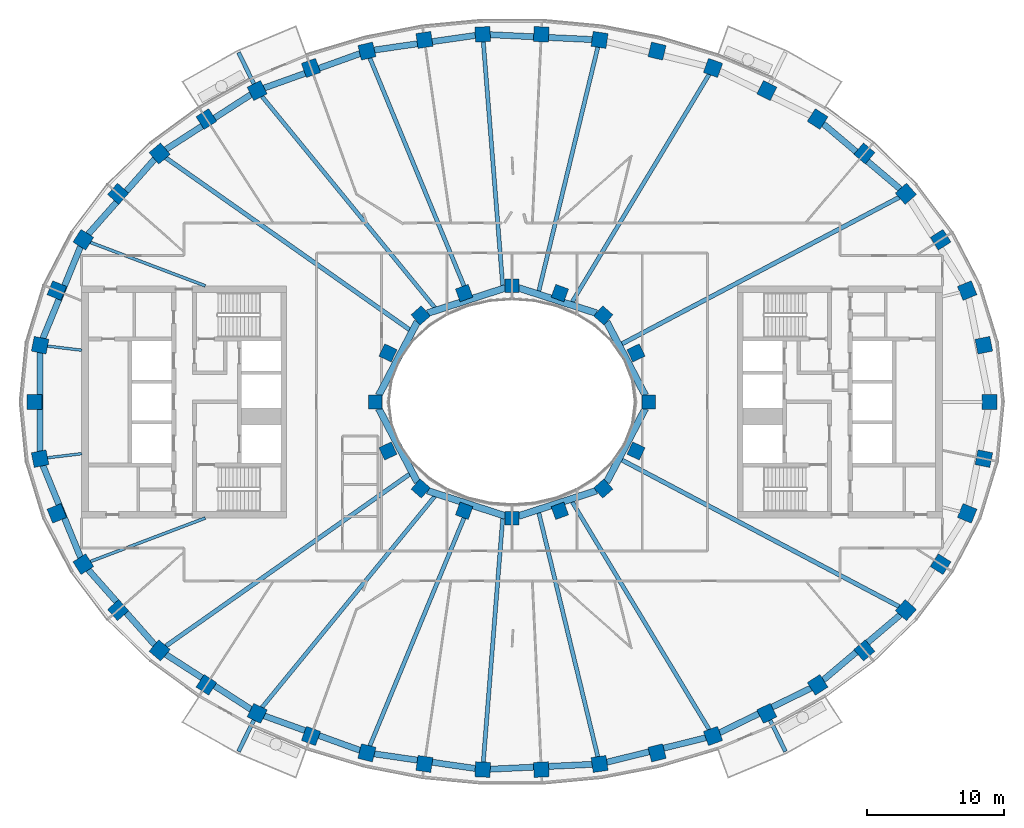
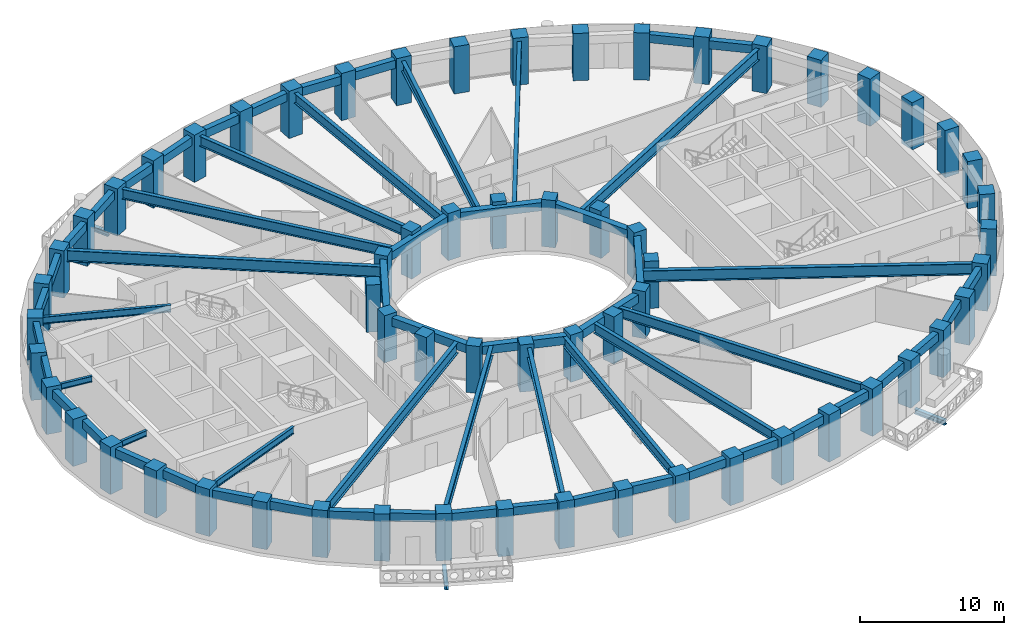
# One storey, part 1 of 15: 62 columns, 46 beams.
"""IFC4 building model written with IfcOpenShell, lengths in metres."""

from ifc_helpers import new_model, si_unit, direction, frame, origin, origin_2d, place, context, subcontext, project, spatial, rectangle, i_section, extrude, material, material_profile, profile_set, type_object, element, save


model = new_model("IFC4")

# Units and contexts
model_context = context("Model", 3, precision=1e-05, world=origin(), true_north=direction((0.0, 1.0)))
body_context = subcontext(model_context, "Body", "Model", "MODEL_VIEW")
ifc_project = project(units=[si_unit("LENGTHUNIT", "METRE"), si_unit("AREAUNIT", "SQUARE_METRE"), si_unit("VOLUMEUNIT", "CUBIC_METRE"), si_unit("PLANEANGLEUNIT", "RADIAN"), si_unit("MASSUNIT", "GRAM", prefix="KILO")], contexts=[model_context])

# Site, building, storey
site_placement = place(None, origin())
site = spatial("IfcSite", under=ifc_project, at=site_placement, CompositionType="ELEMENT")
building_placement = place(site_placement, origin())
building = spatial("IfcBuilding", under=site, at=building_placement, Name="Noorbagh Ring Tower", CompositionType="ELEMENT")
storey_placement = place(building_placement, frame((0.0, 0.0, 241.5)))
storey = spatial("IfcBuildingStorey", under=building, at=storey_placement, Name="L50", CompositionType="ELEMENT", Elevation=241.5)

# Columns
ifc_material_1 = material(Name="Concrete C60/75", Category="concrete")
ifc_material_profile_1 = material_profile(ifc_material_1, rectangle(XDim=1.10009765625, YDim=1.10009765625, at=origin_2d()), Name="RC1100x1100")
ifc_profile_set_1 = profile_set([ifc_material_profile_1], Name="Concrete C60/75")
column_type_1 = type_object("IfcColumnType", Name="STR-COL-RC1100x1100-C60-75", PredefinedType="COLUMN", material=ifc_profile_set_1)
for number, where, z_axis, x_axis, name in (
    (1, (34.944580078125, 0.0, 0.0), (0.0, 0.0, 1.0), (0.0, 1.0, 0.0), "L50/col/R1-01"),
    (2, (34.52685546875, 4.150634765625, 0.0), (0.0, 0.0, 1.0), (-0.19723040178, 0.9803571638, 0.0), "L50/col/R1-02"),
    (3, (33.30517578125, 8.1494140625, 0.0), (0.0, 0.0, 1.0), (-0.378989499959, 0.925400971969, 0.0), "L50/col/R1-03"),
    (4, (31.364990234375, 11.87109375, 0.0), (0.0, 0.0, 1.0), (-0.535190403059, 0.844731455833, 0.0), "L50/col/R1-04"),
    (5, (28.81884765625, 15.23046875, 0.0), (0.0, 0.0, 1.0), (-0.662635642662, 0.748941923699, 0.0), "L50/col/R1-05"),
    (6, (25.78271484375, 18.180419921875, 0.0), (0.0, 0.0, 1.0), (-0.763035199656, 0.646356932419, 0.0), "L50/col/R1-06"),
    (7, (22.362060546875, 20.699951171875, 0.0), (0.0, 0.0, 1.0), (-0.840247639643, 0.542202825586, 0.0), "L50/col/R1-07"),
    (8, (18.646240234375, 22.785400390625, 0.0), (0.0, 0.0, 1.0), (-0.898399080868, 0.439180021741, 0.0), "L50/col/R1-08"),
    (9, (14.70947265625, 24.44091796875, 0.0), (0.0, 0.0, 1.0), (-0.941024726094, 0.338337797003, 0.0), "L50/col/R1-09"),
    (10, (10.61328125, 25.673583984375, 0.0), (0.0, 0.0, 1.0), (-0.970829360981, 0.239771457553, 0.0), "L50/col/R1-10"),
    (11, (6.4091796875, 26.49072265625, 0.0), (0.0, 0.0, 1.0), (-0.989713114048, 0.143066249975, 0.0), "L50/col/R1-11"),
    (12, (2.14306640625, 26.89794921875, 0.0), (0.0, 0.0, 1.0), (-0.998868731212, 0.047552684538, 0.0), "L50/col/R1-12"),
    (13, (-2.14306640625, 26.89794921875, 0.0), (0.0, 0.0, 1.0), (-0.998868731212, -0.047552684538, 0.0), "L50/col/R1-13"),
    (14, (-6.4091796875, 26.49072265625, 0.0), (0.0, 0.0, 1.0), (-0.989713114048, -0.143066249975, 0.0), "L50/col/R1-14"),
    (15, (-10.61328125, 25.673583984375, 0.0), (0.0, 0.0, 1.0), (-0.970829360981, -0.239771457553, 0.0), "L50/col/R1-15"),
    (16, (-14.70947265625, 24.44091796875, 0.0), (0.0, 0.0, 1.0), (-0.941024726094, -0.338337797003, 0.0), "L50/col/R1-16"),
    (17, (-18.646240234375, 22.785400390625, 0.0), (0.0, 0.0, 1.0), (-0.898399080868, -0.439180021741, 0.0), "L50/col/R1-17"),
    (18, (-22.362060546875, 20.699951171875, 0.0), (0.0, 0.0, 1.0), (-0.840247639643, -0.542202825586, 0.0), "L50/col/R1-18"),
    (19, (-25.78271484375, 18.180419921875, 0.0), (0.0, 0.0, 1.0), (-0.763035199656, -0.646356932419, 0.0), "L50/col/R1-19"),
    (20, (-28.81884765625, 15.23046875, 0.0), (0.0, 0.0, 1.0), (-0.662635642662, -0.748941923699, 0.0), "L50/col/R1-20"),
    (21, (-31.364990234375, 11.87109375, 0.0), (0.0, 0.0, 1.0), (-0.535190403059, -0.844731455833, 0.0), "L50/col/R1-21"),
    (22, (-33.30517578125, 8.1494140625, 0.0), (0.0, 0.0, 1.0), (-0.378989499959, -0.925400971969, 0.0), "L50/col/R1-22"),
    (23, (-34.52685546875, 4.150634765625, 0.0), (0.0, 0.0, 1.0), (-0.19723040178, -0.9803571638, 0.0), "L50/col/R1-23"),
    (24, (-34.944580078125, 0.0, 0.0), (0.0, 0.0, 1.0), (0.0, -1.0, 0.0), "L50/col/R1-24"),
    (25, (-34.52685546875, -4.150634765625, 0.0), (0.0, 0.0, 1.0), (0.19723040178, -0.9803571638, 0.0), "L50/col/R1-25"),
    (26, (-33.30517578125, -8.1494140625, 0.0), (0.0, 0.0, 1.0), (0.378989499959, -0.925400971969, 0.0), "L50/col/R1-26"),
    (27, (-31.364990234375, -11.87109375, 0.0), (0.0, 0.0, 1.0), (0.535190403059, -0.844731455833, 0.0), "L50/col/R1-27"),
    (28, (-28.81884765625, -15.23046875, 0.0), (0.0, 0.0, 1.0), (0.662635642662, -0.748941923699, 0.0), "L50/col/R1-28"),
    (29, (-25.78271484375, -18.180419921875, 0.0), (0.0, 0.0, 1.0), (0.763035199656, -0.646356932419, 0.0), "L50/col/R1-29"),
    (30, (-22.362060546875, -20.699951171875, 0.0), (0.0, 0.0, 1.0), (0.840247639643, -0.542202825586, 0.0), "L50/col/R1-30"),
    (31, (-18.646240234375, -22.785400390625, 0.0), (0.0, 0.0, 1.0), (0.898399080868, -0.439180021741, 0.0), "L50/col/R1-31"),
    (32, (-14.70947265625, -24.44091796875, 0.0), (0.0, 0.0, 1.0), (0.941024726094, -0.338337797003, 0.0), "L50/col/R1-32"),
    (33, (-10.61328125, -25.673583984375, 0.0), (0.0, 0.0, 1.0), (0.970829360981, -0.239771457553, 0.0), "L50/col/R1-33"),
    (34, (-6.4091796875, -26.49072265625, 0.0), (0.0, 0.0, 1.0), (0.989713114048, -0.143066249975, 0.0), "L50/col/R1-34"),
    (35, (-2.14306640625, -26.89794921875, 0.0), (0.0, 0.0, 1.0), (0.998868731212, -0.047552684538, 0.0), "L50/col/R1-35"),
    (36, (2.14306640625, -26.89794921875, 0.0), (0.0, 0.0, 1.0), (0.998868731212, 0.047552684538, 0.0), "L50/col/R1-36"),
    (37, (6.4091796875, -26.49072265625, 0.0), (0.0, 0.0, 1.0), (0.989713114048, 0.143066249975, 0.0), "L50/col/R1-37"),
    (38, (10.61328125, -25.673583984375, 0.0), (0.0, 0.0, 1.0), (0.970829360981, 0.239771457553, 0.0), "L50/col/R1-38"),
    (39, (14.70947265625, -24.44091796875, 0.0), (0.0, 0.0, 1.0), (0.941024726094, 0.338337797003, 0.0), "L50/col/R1-39"),
    (40, (18.646240234375, -22.785400390625, 0.0), (0.0, 0.0, 1.0), (0.898399080868, 0.439180021741, 0.0), "L50/col/R1-40"),
    (41, (22.362060546875, -20.699951171875, 0.0), (0.0, 0.0, 1.0), (0.840247639643, 0.542202825586, 0.0), "L50/col/R1-41"),
    (42, (25.78271484375, -18.180419921875, 0.0), (0.0, 0.0, 1.0), (0.763035199656, 0.646356932419, 0.0), "L50/col/R1-42"),
    (43, (28.81884765625, -15.23046875, 0.0), (0.0, 0.0, 1.0), (0.662635642662, 0.748941923699, 0.0), "L50/col/R1-43"),
    (44, (31.364990234375, -11.87109375, 0.0), (0.0, 0.0, 1.0), (0.535190403059, 0.844731455833, 0.0), "L50/col/R1-44"),
    (45, (33.30517578125, -8.1494140625, 0.0), (0.0, 0.0, 1.0), (0.378989499959, 0.925400971969, 0.0), "L50/col/R1-45"),
    (46, (34.52685546875, -4.150634765625, 0.0), (0.0, 0.0, 1.0), (0.19723040178, 0.9803571638, 0.0), "L50/col/R1-46"),
):
    element("IfcColumn", number, at=place(storey_placement, frame(where, z_axis=z_axis, x_axis=x_axis)), inside=storey, type_object=column_type_1, Name=name, PredefinedType="COLUMN", context=body_context, shape_type="SweptSolid", body=[
        extrude(rectangle(XDim=1.10009765625, YDim=1.10009765625, at=origin_2d()), origin(), (0.0, 0.0, 1.0), 4.0),
    ])
ifc_material_2 = material(Name="Concrete C60/75", Category="concrete")
ifc_material_profile_2 = material_profile(ifc_material_2, rectangle(XDim=1.0, YDim=1.0, at=origin_2d()), Name="RC1000x1000")
ifc_profile_set_2 = profile_set([ifc_material_profile_2], Name="Concrete C60/75")
column_type_2 = type_object("IfcColumnType", Name="STR-ICOL-RC1000x1000-C60-75", PredefinedType="COLUMN", material=ifc_profile_set_2)
for number, where, z_axis, x_axis, name in (
    (47, (10.00830078125, 0.0, 0.0), (0.0, 0.0, 1.0), (0.0, 1.0, 0.0), "L50/col/IR2-W01"),
    (48, (9.07568359375, 3.58837890625, 0.0), (0.0, 0.0, 1.0), (-0.428666979171, 0.903462573087, 0.0), "L50/col/IR2-W03"),
    (49, (6.68212890625, 6.333740234375, 0.0), (0.0, 0.0, 1.0), (-0.75102249095, 0.660276622399, 0.0), "L50/col/IR2-W05"),
    (50, (3.5009765625, 7.967041015625, 0.0), (0.0, 0.0, 1.0), (-0.939019578916, 0.343863679984, 0.0), "L50/col/IR2-W07"),
    (51, (0.0, 8.5029296875, 0.0), (0.0, 0.0, 1.0), (-1.0, 0.0, 0.0), "L50/col/IR2-W09"),
    (52, (-3.5009765625, 7.967041015625, 0.0), (0.0, 0.0, 1.0), (-0.939019578916, -0.343863679984, 0.0), "L50/col/IR2-W11"),
    (53, (-6.68212890625, 6.333740234375, 0.0), (0.0, 0.0, 1.0), (-0.75102249095, -0.660276622399, 0.0), "L50/col/IR2-W13"),
    (54, (-9.07568359375, 3.58837890625, 0.0), (0.0, 0.0, 1.0), (-0.428666979171, -0.903462573087, 0.0), "L50/col/IR2-W15"),
    (55, (-10.00830078125, 0.0, 0.0), (0.0, 0.0, 1.0), (0.0, -1.0, 0.0), "L50/col/IR2-W17"),
    (56, (-9.07568359375, -3.58837890625, 0.0), (0.0, 0.0, 1.0), (0.428666979171, -0.903462573087, 0.0), "L50/col/IR2-W19"),
    (57, (-6.68212890625, -6.333740234375, 0.0), (0.0, 0.0, 1.0), (0.75102249095, -0.660276622399, 0.0), "L50/col/IR2-W21"),
    (58, (-3.5009765625, -7.967041015625, 0.0), (0.0, 0.0, 1.0), (0.939019578916, -0.343863679984, 0.0), "L50/col/IR2-W23"),
    (59, (0.0, -8.5029296875, 0.0), (0.0, 0.0, 1.0), (1.0, 0.0, 0.0), "L50/col/IR2-W25"),
    (60, (3.5009765625, -7.967041015625, 0.0), (0.0, 0.0, 1.0), (0.939019578916, 0.343863679984, 0.0), "L50/col/IR2-W27"),
    (61, (6.68212890625, -6.333740234375, 0.0), (0.0, 0.0, 1.0), (0.75102249095, 0.660276622399, 0.0), "L50/col/IR2-W29"),
    (62, (9.07568359375, -3.58837890625, 0.0), (0.0, 0.0, 1.0), (0.428666979171, 0.903462573087, 0.0), "L50/col/IR2-W31"),
):
    element("IfcColumn", number, at=place(storey_placement, frame(where, z_axis=z_axis, x_axis=x_axis)), inside=storey, type_object=column_type_2, Name=name, PredefinedType="COLUMN", context=body_context, shape_type="SweptSolid", body=[
        extrude(rectangle(XDim=1.0, YDim=1.0, at=origin_2d()), origin(), (0.0, 0.0, 1.0), 4.0),
    ])

# Beams
ifc_material_3 = material(Name="Steel S355", Category="steel")
ifc_material_profile_3 = material_profile(ifc_material_3, i_section(OverallWidth=0.300048828125, OverallDepth=0.39990234375, WebThickness=0.013427734375, FlangeThickness=0.02392578125, FilletRadius=0.027099609375, at=origin_2d()), Name="HEB400")
ifc_profile_set_3 = profile_set([ifc_material_profile_3], Name="Steel S355")
beam_type_1 = type_object("IfcBeamType", Name="STR-BALCONY-BRACKET-HEB400", PredefinedType="BEAM", material=ifc_profile_set_3)
for number, where, z_axis, x_axis, name in (
    (63, (-18.879150390625, 23.261474609375, -0.5), (-0.439232236699, 0.898373553843, 0.0), (-0.898373553843, -0.439232236699, 0.0), "Balcony bracket beam BN05"),
    (64, (-18.879150390625, -23.261474609375, -0.5), (-0.439232236699, -0.898373553843, 0.0), (0.898373553843, -0.439232236699, 0.0), "Balcony bracket beam BS02"),
    (65, (18.879150390625, -23.261474609375, -0.5), (0.439232236699, -0.898373553843, 0.0), (0.898373553843, 0.439232236699, 0.0), "Balcony bracket beam BS05"),
):
    element("IfcBeam", number, at=place(storey_placement, frame(where, z_axis=z_axis, x_axis=x_axis)), inside=storey, type_object=beam_type_1, Name=name, PredefinedType="BEAM", context=body_context, shape_type="SweptSolid", body=[
        extrude(i_section(OverallWidth=0.300048828125, OverallDepth=0.39990234375, WebThickness=0.013427734375, FlangeThickness=0.02392578125, FilletRadius=0.027099609375, at=origin_2d()), origin(), (0.0, 0.0, 1.0), 2.5751953125),
    ])
ifc_material_4 = material(Name="Steel S355", Category="steel")
ifc_material_profile_4 = material_profile(ifc_material_4, i_section(OverallWidth=0.199951171875, OverallDepth=0.5, WebThickness=0.01025390625, FlangeThickness=0.01611328125, FilletRadius=0.02099609375, at=origin_2d()), Name="IPE500")
ifc_profile_set_4 = profile_set([ifc_material_profile_4], Name="Steel S355")
beam_type_2 = type_object("IfcBeamType", Name="STR-RAD-IPE500", PredefinedType="BEAM", material=ifc_profile_set_4)
for number, where, z_axis, x_axis, name in (
    (66, (-33.998779296875, 4.087158203125, 3.449951171875), (0.992853137385, -0.119342564013, 0.0), (0.119342564013, 0.992853137385, 0.0), "L50/bm/RD23"),
    (67, (-33.998779296875, -4.087158203125, 3.449951171875), (0.992853137385, 0.119342564013, 0.0), (-0.119342564013, 0.992853137385, 0.0), "L50/bm/RD25"),
):
    element("IfcBeam", number, at=place(storey_placement, frame(where, z_axis=z_axis, x_axis=x_axis)), inside=storey, type_object=beam_type_2, Name=name, PredefinedType="BEAM", context=body_context, shape_type="SweptSolid", body=[
        extrude(i_section(OverallWidth=0.199951171875, OverallDepth=0.5, WebThickness=0.01025390625, FlangeThickness=0.01611328125, FilletRadius=0.02099609375, at=origin_2d()), origin(), (0.0, 0.0, 1.0), 2.53662109375),
    ])
ifc_material_5 = material(Name="Steel S355", Category="steel")
ifc_material_profile_5 = material_profile(ifc_material_5, i_section(OverallWidth=0.219970703125, OverallDepth=0.60009765625, WebThickness=0.011962890625, FlangeThickness=0.01904296875, FilletRadius=0.02392578125, at=origin_2d()), Name="IPE600")
ifc_profile_set_5 = profile_set([ifc_material_profile_5], Name="Steel S355")
beam_type_3 = type_object("IfcBeamType", Name="STR-RAD-IPE600", PredefinedType="BEAM", material=ifc_profile_set_5)
for number, where, z_axis, x_axis, name in (
    (68, (-30.858642578125, 11.67919921875, 3.39990234375), (0.935259323835, -0.353963270948, 0.0), (0.353963270948, 0.935259323835, 0.0), "L50/bm/RD21"),
    (69, (-30.858642578125, -11.67919921875, 3.39990234375), (0.935259323835, 0.353963270948, 0.0), (-0.353963270948, 0.935259323835, 0.0), "L50/bm/RD27"),
):
    element("IfcBeam", number, at=place(storey_placement, frame(where, z_axis=z_axis, x_axis=x_axis)), inside=storey, type_object=beam_type_3, Name=name, PredefinedType="BEAM", context=body_context, shape_type="SweptSolid", body=[
        extrude(i_section(OverallWidth=0.219970703125, OverallDepth=0.60009765625, WebThickness=0.011962890625, FlangeThickness=0.01904296875, FilletRadius=0.02392578125, at=origin_2d()), origin(), (0.0, 0.0, 1.0), 9.001708984375),
    ])
ifc_material_6 = material(Name="Steel S355", Category="steel")
ifc_material_profile_6 = material_profile(ifc_material_6, i_section(OverallWidth=0.300048828125, OverallDepth=0.85009765625, WebThickness=0.013916015625, FlangeThickness=0.028076171875, at=origin_2d()), Name="PG850x300x14x28")
ifc_profile_set_6 = profile_set([ifc_material_profile_6], Name="Steel S355")
beam_type_4 = type_object("IfcBeamType", Name="STR-RAD-PG850x300x14x28", PredefinedType="BEAM", material=ifc_profile_set_6)
beam_1_placement = place(storey_placement, frame((14.4306640625, 23.9775390625, 3.27490234375), z_axis=(-0.515652889643, -0.856797582514, 0.0), x_axis=(0.856797582514, -0.515652889643, 0.0)))
element("IfcBeam", 70, at=beam_1_placement, inside=storey, type_object=beam_type_4, Name="L50/bm/RD09", PredefinedType="BEAM", context=body_context, shape_type="SweptSolid", body=[
    extrude(i_section(OverallWidth=0.300048828125, OverallDepth=0.85009765625, WebThickness=0.013916015625, FlangeThickness=0.028076171875, at=origin_2d()), origin(), (0.0, 0.0, 1.0), 19.4462890625),
])
beam_2_placement = place(storey_placement, frame((6.283935546875, 25.973388671875, 3.27490234375), z_axis=(-0.235149899609, -0.971959116791, 0.0), x_axis=(0.971959116791, -0.235149899609, 0.0)))
element("IfcBeam", 71, at=beam_2_placement, inside=storey, type_object=beam_type_4, Name="L50/bm/RD11", PredefinedType="BEAM", context=body_context, shape_type="SweptSolid", body=[
    extrude(i_section(OverallWidth=0.300048828125, OverallDepth=0.85009765625, WebThickness=0.013916015625, FlangeThickness=0.028076171875, at=origin_2d()), origin(), (0.0, 0.0, 1.0), 18.380859375),
])
beam_3_placement = place(storey_placement, frame((-2.10107421875, 26.369384765625, 3.27490234375), z_axis=(0.079428656786, -0.996840553189, 0.0), x_axis=(0.996840553189, 0.079428656786, 0.0)))
element("IfcBeam", 72, at=beam_3_placement, inside=storey, type_object=beam_type_4, Name="L50/bm/RD13", PredefinedType="BEAM", context=body_context, shape_type="SweptSolid", body=[
    extrude(i_section(OverallWidth=0.300048828125, OverallDepth=0.85009765625, WebThickness=0.013916015625, FlangeThickness=0.028076171875, at=origin_2d()), origin(), (0.0, 0.0, 1.0), 17.9013671875),
])
beam_4_placement = place(storey_placement, frame((-10.408447265625, 25.177978515625, 3.27490234375), z_axis=(0.382042222752, -0.924144869614, 0.0), x_axis=(0.924144869614, 0.382042222752, 0.0)))
element("IfcBeam", 73, at=beam_4_placement, inside=storey, type_object=beam_type_4, Name="L50/bm/RD15", PredefinedType="BEAM", context=body_context, shape_type="SweptSolid", body=[
    extrude(i_section(OverallWidth=0.300048828125, OverallDepth=0.85009765625, WebThickness=0.013916015625, FlangeThickness=0.028076171875, at=origin_2d()), origin(), (0.0, 0.0, 1.0), 18.901611328125),
])
for number, where, z_axis, x_axis, name in (
    (74, (-18.301025390625, 22.363525390625, 3.27490234375), (0.633313689008, -0.773895194012, 0.0), (0.773895194012, 0.633313689008, 0.0), "L50/bm/RD17"),
    (75, (-18.301025390625, -22.363525390625, 3.27490234375), (0.633313689008, 0.773895194012, 0.0), (-0.773895194012, 0.633313689008, 0.0), "L50/bm/RD31"),
):
    element("IfcBeam", number, at=place(storey_placement, frame(where, z_axis=z_axis, x_axis=x_axis)), inside=storey, type_object=beam_type_4, Name=name, PredefinedType="BEAM", context=body_context, shape_type="SweptSolid", body=[
        extrude(i_section(OverallWidth=0.300048828125, OverallDepth=0.85009765625, WebThickness=0.013916015625, FlangeThickness=0.028076171875, at=origin_2d()), origin(), (0.0, 0.0, 1.0), 19.968017578125),
    ])
beam_5_placement = place(storey_placement, frame((-10.408447265625, -25.177978515625, 3.27490234375), z_axis=(0.382042222752, 0.924144869614, 0.0), x_axis=(-0.924144869614, 0.382042222752, 0.0)))
element("IfcBeam", 76, at=beam_5_placement, inside=storey, type_object=beam_type_4, Name="L50/bm/RD33", PredefinedType="BEAM", context=body_context, shape_type="SweptSolid", body=[
    extrude(i_section(OverallWidth=0.300048828125, OverallDepth=0.85009765625, WebThickness=0.013916015625, FlangeThickness=0.028076171875, at=origin_2d()), origin(), (0.0, 0.0, 1.0), 18.901611328125),
])
beam_6_placement = place(storey_placement, frame((-2.10107421875, -26.369384765625, 3.27490234375), z_axis=(0.079428656786, 0.996840553189, 0.0), x_axis=(-0.996840553189, 0.079428656786, 0.0)))
element("IfcBeam", 77, at=beam_6_placement, inside=storey, type_object=beam_type_4, Name="L50/bm/RD35", PredefinedType="BEAM", context=body_context, shape_type="SweptSolid", body=[
    extrude(i_section(OverallWidth=0.300048828125, OverallDepth=0.85009765625, WebThickness=0.013916015625, FlangeThickness=0.028076171875, at=origin_2d()), origin(), (0.0, 0.0, 1.0), 17.9013671875),
])
beam_7_placement = place(storey_placement, frame((6.283935546875, -25.973388671875, 3.27490234375), z_axis=(-0.235149899609, 0.971959116791, 0.0), x_axis=(-0.971959116791, -0.235149899609, 0.0)))
element("IfcBeam", 78, at=beam_7_placement, inside=storey, type_object=beam_type_4, Name="L50/bm/RD37", PredefinedType="BEAM", context=body_context, shape_type="SweptSolid", body=[
    extrude(i_section(OverallWidth=0.300048828125, OverallDepth=0.85009765625, WebThickness=0.013916015625, FlangeThickness=0.028076171875, at=origin_2d()), origin(), (0.0, 0.0, 1.0), 18.380859375),
])
beam_8_placement = place(storey_placement, frame((14.4306640625, -23.9775390625, 3.27490234375), z_axis=(-0.515652889643, 0.856797582514, 0.0), x_axis=(-0.856797582514, -0.515652889643, 0.0)))
element("IfcBeam", 79, at=beam_8_placement, inside=storey, type_object=beam_type_4, Name="L50/bm/RD39", PredefinedType="BEAM", context=body_context, shape_type="SweptSolid", body=[
    extrude(i_section(OverallWidth=0.300048828125, OverallDepth=0.85009765625, WebThickness=0.013916015625, FlangeThickness=0.028076171875, at=origin_2d()), origin(), (0.0, 0.0, 1.0), 19.4462890625),
])
ifc_material_7 = material(Name="Steel S355", Category="steel")
ifc_material_profile_7 = material_profile(ifc_material_7, i_section(OverallWidth=0.320068359375, OverallDepth=0.949951171875, WebThickness=0.01611328125, FlangeThickness=0.030029296875, at=origin_2d()), Name="PG950x320x16x30")
ifc_profile_set_7 = profile_set([ifc_material_profile_7], Name="Steel S355")
beam_type_5 = type_object("IfcBeamType", Name="STR-RAD-PG950x320x16x30", PredefinedType="BEAM", material=ifc_profile_set_7)
beam_9_placement = place(storey_placement, frame((28.336181640625, 14.975341796875, 3.22509765625), z_axis=(-0.884128075717, -0.467244631567, 0.0), x_axis=(0.467244631567, -0.884128075717, 0.0)))
element("IfcBeam", 80, at=beam_9_placement, inside=storey, type_object=beam_type_5, Name="L50/bm/RD05", PredefinedType="BEAM", context=body_context, shape_type="SweptSolid", body=[
    extrude(i_section(OverallWidth=0.320068359375, OverallDepth=0.949951171875, WebThickness=0.01611328125, FlangeThickness=0.030029296875, at=origin_2d()), origin(), (0.0, 0.0, 1.0), 22.959228515625),
])
for number, where, z_axis, x_axis, name in (
    (81, (-25.334716796875, 17.864501953125, 3.22509765625), (0.81725475763, -0.576276549176, 0.0), (0.576276549176, 0.81725475763, 0.0), "L50/bm/RD19"),
    (82, (-25.334716796875, -17.864501953125, 3.22509765625), (0.81725475763, 0.576276549176, 0.0), (-0.576276549176, 0.81725475763, 0.0), "L50/bm/RD29"),
):
    element("IfcBeam", number, at=place(storey_placement, frame(where, z_axis=z_axis, x_axis=x_axis)), inside=storey, type_object=beam_type_5, Name=name, PredefinedType="BEAM", context=body_context, shape_type="SweptSolid", body=[
        extrude(i_section(OverallWidth=0.320068359375, OverallDepth=0.949951171875, WebThickness=0.01611328125, FlangeThickness=0.030029296875, at=origin_2d()), origin(), (0.0, 0.0, 1.0), 21.830810546875),
    ])
beam_10_placement = place(storey_placement, frame((28.336181640625, -14.975341796875, 3.22509765625), z_axis=(-0.884128075717, 0.467244631567, 0.0), x_axis=(-0.467244631567, -0.884128075717, 0.0)))
element("IfcBeam", 83, at=beam_10_placement, inside=storey, type_object=beam_type_5, Name="L50/bm/RD43", PredefinedType="BEAM", context=body_context, shape_type="SweptSolid", body=[
    extrude(i_section(OverallWidth=0.320068359375, OverallDepth=0.949951171875, WebThickness=0.01611328125, FlangeThickness=0.030029296875, at=origin_2d()), origin(), (0.0, 0.0, 1.0), 22.959228515625),
])
ifc_material_8 = material(Name="Concrete C40/50", Category="concrete")
ifc_material_profile_8 = material_profile(ifc_material_8, rectangle(XDim=0.5, YDim=0.699951171875, at=origin_2d()), Name="RC500x700")
ifc_profile_set_8 = profile_set([ifc_material_profile_8], Name="Concrete C40/50")
beam_type_6 = type_object("IfcBeamType", Name="STR-RB-RC500x700-C40-50", PredefinedType="BEAM", material=ifc_profile_set_8)
beam_11_placement = place(storey_placement, frame((9.755126953125, 0.482177734375, 3.35009765625), z_axis=(-0.464928900722, 0.885348020427, 0.0), x_axis=(-0.885348020427, -0.464928900722, 0.0)))
element("IfcBeam", 84, at=beam_11_placement, inside=storey, type_object=beam_type_6, Name="L50/bm/RG01", PredefinedType="BEAM", context=body_context, shape_type="SweptSolid", body=[
    extrude(rectangle(XDim=0.5, YDim=0.699951171875, at=origin_2d()), origin(), (0.0, 0.0, 1.0), 6.093994140625),
])
for number, where, z_axis, x_axis, name in (
    (85, (6.183349609375, 6.495849609375, 3.35009765625), (-0.951154000484, 0.30871680771, 0.0), (-0.30871680771, -0.951154000484, 0.0), "L50/bm/RG03"),
    (86, (-0.48095703125, 8.3466796875, 3.35009765625), (-0.951154000484, -0.30871680771, 0.0), (0.30871680771, -0.951154000484, 0.0), "L50/bm/RG05"),
):
    element("IfcBeam", number, at=place(storey_placement, frame(where, z_axis=z_axis, x_axis=x_axis)), inside=storey, type_object=beam_type_6, Name=name, PredefinedType="BEAM", context=body_context, shape_type="SweptSolid", body=[
        extrude(rectangle(XDim=0.5, YDim=0.699951171875, at=origin_2d()), origin(), (0.0, 0.0, 1.0), 5.9951171875),
    ])
for number, where, z_axis, x_axis, name in (
    (87, (-6.921875, 5.87744140625, 3.35009765625), (-0.464928900722, -0.885348020427, 0.0), (0.885348020427, -0.464928900722, 0.0), "L50/bm/RG07"),
    (88, (-9.755126953125, -0.482177734375, 3.35009765625), (0.464928900722, -0.885348020427, 0.0), (0.885348020427, 0.464928900722, 0.0), "L50/bm/RG09"),
):
    element("IfcBeam", number, at=place(storey_placement, frame(where, z_axis=z_axis, x_axis=x_axis)), inside=storey, type_object=beam_type_6, Name=name, PredefinedType="BEAM", context=body_context, shape_type="SweptSolid", body=[
        extrude(rectangle(XDim=0.5, YDim=0.699951171875, at=origin_2d()), origin(), (0.0, 0.0, 1.0), 6.093994140625),
    ])
for number, where, z_axis, x_axis, name in (
    (89, (-6.183349609375, -6.495849609375, 3.35009765625), (0.951154000484, -0.30871680771, 0.0), (0.30871680771, 0.951154000484, 0.0), "L50/bm/RG11"),
    (90, (0.48095703125, -8.3466796875, 3.35009765625), (0.951154000484, 0.30871680771, 0.0), (-0.30871680771, 0.951154000484, 0.0), "L50/bm/RG13"),
):
    element("IfcBeam", number, at=place(storey_placement, frame(where, z_axis=z_axis, x_axis=x_axis)), inside=storey, type_object=beam_type_6, Name=name, PredefinedType="BEAM", context=body_context, shape_type="SweptSolid", body=[
        extrude(rectangle(XDim=0.5, YDim=0.699951171875, at=origin_2d()), origin(), (0.0, 0.0, 1.0), 5.9951171875),
    ])
beam_12_placement = place(storey_placement, frame((6.921875, -5.87744140625, 3.35009765625), z_axis=(0.464928900722, 0.885348020427, 0.0), x_axis=(-0.885348020427, 0.464928900722, 0.0)))
element("IfcBeam", 91, at=beam_12_placement, inside=storey, type_object=beam_type_6, Name="L50/bm/RG15", PredefinedType="BEAM", context=body_context, shape_type="SweptSolid", body=[
    extrude(rectangle(XDim=0.5, YDim=0.699951171875, at=origin_2d()), origin(), (0.0, 0.0, 1.0), 6.093994140625),
])
ifc_material_9 = material(Name="Concrete C40/50", Category="concrete")
ifc_material_profile_9 = material_profile(ifc_material_9, rectangle(XDim=0.449951171875, YDim=0.699951171875, at=origin_2d()), Name="RC450x700")
ifc_profile_set_9 = profile_set([ifc_material_profile_9], Name="Concrete C40/50")
beam_type_7 = type_object("IfcBeamType", Name="STR-SB-RC450x700-C40-50", PredefinedType="BEAM", material=ifc_profile_set_9)
beam_13_placement = place(storey_placement, frame((28.41015625, 15.57666015625, 3.35009765625), z_axis=(-0.763041647575, 0.646349320465, 0.0), x_axis=(-0.646349320465, -0.763041647575, 0.0)))
element("IfcBeam", 92, at=beam_13_placement, inside=storey, type_object=beam_type_7, Name="L50/bm/SP05", PredefinedType="BEAM", context=body_context, shape_type="SweptSolid", body=[
    extrude(rectangle(XDim=0.449951171875, YDim=0.699951171875, at=origin_2d()), origin(), (0.0, 0.0, 1.0), 7.3916015625),
])
beam_14_placement = place(storey_placement, frame((5.877197265625, 26.51611328125, 3.35009765625), z_axis=(-0.998869095319, 0.047545035672, 0.0), x_axis=(-0.047545035672, -0.998869095319, 0.0)))
element("IfcBeam", 93, at=beam_14_placement, inside=storey, type_object=beam_type_7, Name="L50/bm/SP11", PredefinedType="BEAM", context=body_context, shape_type="SweptSolid", body=[
    extrude(rectangle(XDim=0.449951171875, YDim=0.699951171875, at=origin_2d()), origin(), (0.0, 0.0, 1.0), 7.4970703125),
])
beam_15_placement = place(storey_placement, frame((-2.670166015625, 26.82177734375, 3.35009765625), z_axis=(-0.989712214626, -0.143072471915, 0.0), x_axis=(0.143072471915, -0.989712214626, 0.0)))
element("IfcBeam", 94, at=beam_15_placement, inside=storey, type_object=beam_type_7, Name="L50/bm/SP13", PredefinedType="BEAM", context=body_context, shape_type="SweptSolid", body=[
    extrude(rectangle(XDim=0.449951171875, YDim=0.699951171875, at=origin_2d()), origin(), (0.0, 0.0, 1.0), 7.492919921875),
])
beam_16_placement = place(storey_placement, frame((-11.11474609375, 25.493408203125, 3.35009765625), z_axis=(-0.941021072028, -0.338347959947, 0.0), x_axis=(0.338347959947, -0.941021072028, 0.0)))
element("IfcBeam", 95, at=beam_16_placement, inside=storey, type_object=beam_type_7, Name="L50/bm/SP15", PredefinedType="BEAM", context=body_context, shape_type="SweptSolid", body=[
    extrude(rectangle(XDim=0.449951171875, YDim=0.699951171875, at=origin_2d()), origin(), (0.0, 0.0, 1.0), 7.470458984375),
])
beam_17_placement = place(storey_placement, frame((-19.094970703125, 22.495849609375, 3.35009765625), z_axis=(-0.840248806946, -0.542201016622, 0.0), x_axis=(0.542201016622, -0.840248806946, 0.0)))
element("IfcBeam", 96, at=beam_17_placement, inside=storey, type_object=beam_type_7, Name="L50/bm/SP17", PredefinedType="BEAM", context=body_context, shape_type="SweptSolid", body=[
    extrude(rectangle(XDim=0.449951171875, YDim=0.699951171875, at=origin_2d()), origin(), (0.0, 0.0, 1.0), 7.424560546875),
])
beam_18_placement = place(storey_placement, frame((-26.1376953125, 17.779052734375, 3.35009765625), z_axis=(-0.662632637862, -0.748944582222, 0.0), x_axis=(0.748944582222, -0.662632637862, 0.0)))
element("IfcBeam", 97, at=beam_18_placement, inside=storey, type_object=beam_type_7, Name="L50/bm/SP19", PredefinedType="BEAM", context=body_context, shape_type="SweptSolid", body=[
    extrude(rectangle(XDim=0.449951171875, YDim=0.699951171875, at=origin_2d()), origin(), (0.0, 0.0, 1.0), 7.3515625),
])
beam_19_placement = place(storey_placement, frame((-31.569091796875, 11.37255859375, 3.35009765625), z_axis=(-0.378980930271, -0.92540448156, 0.0), x_axis=(0.92540448156, -0.378980930271, 0.0)))
element("IfcBeam", 98, at=beam_19_placement, inside=storey, type_object=beam_type_7, Name="L50/bm/SP21", PredefinedType="BEAM", context=body_context, shape_type="SweptSolid", body=[
    extrude(rectangle(XDim=0.449951171875, YDim=0.699951171875, at=origin_2d()), origin(), (0.0, 0.0, 1.0), 7.263916015625),
])
beam_20_placement = place(storey_placement, frame((-34.52685546875, 3.609619140625, 3.35009765625), z_axis=(0.0, -1.0, 0.0), x_axis=(1.0, 0.0, 0.0)))
element("IfcBeam", 99, at=beam_20_placement, inside=storey, type_object=beam_type_7, Name="L50/bm/SP23", PredefinedType="BEAM", context=body_context, shape_type="SweptSolid", body=[
    extrude(rectangle(XDim=0.449951171875, YDim=0.699951171875, at=origin_2d()), origin(), (0.0, 0.0, 1.0), 7.21923828125),
])
beam_21_placement = place(storey_placement, frame((-34.322021484375, -4.650390625, 3.35009765625), z_axis=(0.378980930271, -0.92540448156, 0.0), x_axis=(0.92540448156, 0.378980930271, 0.0)))
element("IfcBeam", 100, at=beam_21_placement, inside=storey, type_object=beam_type_7, Name="L50/bm/SP25", PredefinedType="BEAM", context=body_context, shape_type="SweptSolid", body=[
    extrude(rectangle(XDim=0.449951171875, YDim=0.699951171875, at=origin_2d()), origin(), (0.0, 0.0, 1.0), 7.263916015625),
])
beam_22_placement = place(storey_placement, frame((-31.009033203125, -12.273193359375, 3.35009765625), z_axis=(0.662632637862, -0.748944582222, 0.0), x_axis=(0.748944582222, 0.662632637862, 0.0)))
element("IfcBeam", 101, at=beam_22_placement, inside=storey, type_object=beam_type_7, Name="L50/bm/SP27", PredefinedType="BEAM", context=body_context, shape_type="SweptSolid", body=[
    extrude(rectangle(XDim=0.449951171875, YDim=0.699951171875, at=origin_2d()), origin(), (0.0, 0.0, 1.0), 7.3515625),
])
beam_23_placement = place(storey_placement, frame((-25.33349609375, -18.47021484375, 3.35009765625), z_axis=(0.840248806946, -0.542201016622, 0.0), x_axis=(0.542201016622, 0.840248806946, 0.0)))
element("IfcBeam", 102, at=beam_23_placement, inside=storey, type_object=beam_type_7, Name="L50/bm/SP29", PredefinedType="BEAM", context=body_context, shape_type="SweptSolid", body=[
    extrude(rectangle(XDim=0.449951171875, YDim=0.699951171875, at=origin_2d()), origin(), (0.0, 0.0, 1.0), 7.424560546875),
])
beam_24_placement = place(storey_placement, frame((-18.14453125, -22.9658203125, 3.35009765625), z_axis=(0.941021072028, -0.338347959947, 0.0), x_axis=(0.338347959947, 0.941021072028, 0.0)))
element("IfcBeam", 103, at=beam_24_placement, inside=storey, type_object=beam_type_7, Name="L50/bm/SP31", PredefinedType="BEAM", context=body_context, shape_type="SweptSolid", body=[
    extrude(rectangle(XDim=0.449951171875, YDim=0.699951171875, at=origin_2d()), origin(), (0.0, 0.0, 1.0), 7.470458984375),
])
beam_25_placement = place(storey_placement, frame((-10.0859375, -25.749755859375, 3.35009765625), z_axis=(0.989712214626, -0.143072471915, 0.0), x_axis=(0.143072471915, 0.989712214626, 0.0)))
element("IfcBeam", 104, at=beam_25_placement, inside=storey, type_object=beam_type_7, Name="L50/bm/SP33", PredefinedType="BEAM", context=body_context, shape_type="SweptSolid", body=[
    extrude(rectangle(XDim=0.449951171875, YDim=0.699951171875, at=origin_2d()), origin(), (0.0, 0.0, 1.0), 7.492919921875),
])
beam_26_placement = place(storey_placement, frame((-1.611328125, -26.87255859375, 3.35009765625), z_axis=(0.998869095319, 0.047545035672, 0.0), x_axis=(-0.047545035672, 0.998869095319, 0.0)))
element("IfcBeam", 105, at=beam_26_placement, inside=storey, type_object=beam_type_7, Name="L50/bm/SP35", PredefinedType="BEAM", context=body_context, shape_type="SweptSolid", body=[
    extrude(rectangle(XDim=0.449951171875, YDim=0.699951171875, at=origin_2d()), origin(), (0.0, 0.0, 1.0), 7.4970703125),
])
beam_27_placement = place(storey_placement, frame((6.926513671875, -26.363037109375, 3.35009765625), z_axis=(0.970829382675, 0.239771369713, 0.0), x_axis=(-0.239771369713, 0.970829382675, 0.0)))
element("IfcBeam", 106, at=beam_27_placement, inside=storey, type_object=beam_type_7, Name="L50/bm/SP37", PredefinedType="BEAM", context=body_context, shape_type="SweptSolid", body=[
    extrude(rectangle(XDim=0.449951171875, YDim=0.699951171875, at=origin_2d()), origin(), (0.0, 0.0, 1.0), 7.48388671875),
])
beam_28_placement = place(storey_placement, frame((15.188720703125, -24.20654296875, 3.35009765625), z_axis=(0.898395566206, 0.43918721136, 0.0), x_axis=(-0.43918721136, 0.898395566206, 0.0)))
element("IfcBeam", 107, at=beam_28_placement, inside=storey, type_object=beam_type_7, Name="L50/bm/SP39", PredefinedType="BEAM", context=body_context, shape_type="SweptSolid", body=[
    extrude(rectangle(XDim=0.449951171875, YDim=0.699951171875, at=origin_2d()), origin(), (0.0, 0.0, 1.0), 7.45068359375),
])
beam_29_placement = place(storey_placement, frame((22.77001953125, -20.354248046875, 3.35009765625), z_axis=(0.763041647575, 0.646349320465, 0.0), x_axis=(-0.646349320465, 0.763041647575, 0.0)))
element("IfcBeam", 108, at=beam_29_placement, inside=storey, type_object=beam_type_7, Name="L50/bm/SP41", PredefinedType="BEAM", context=body_context, shape_type="SweptSolid", body=[
    extrude(rectangle(XDim=0.449951171875, YDim=0.699951171875, at=origin_2d()), origin(), (0.0, 0.0, 1.0), 7.3916015625),
])

save(model, "model.ifc")
